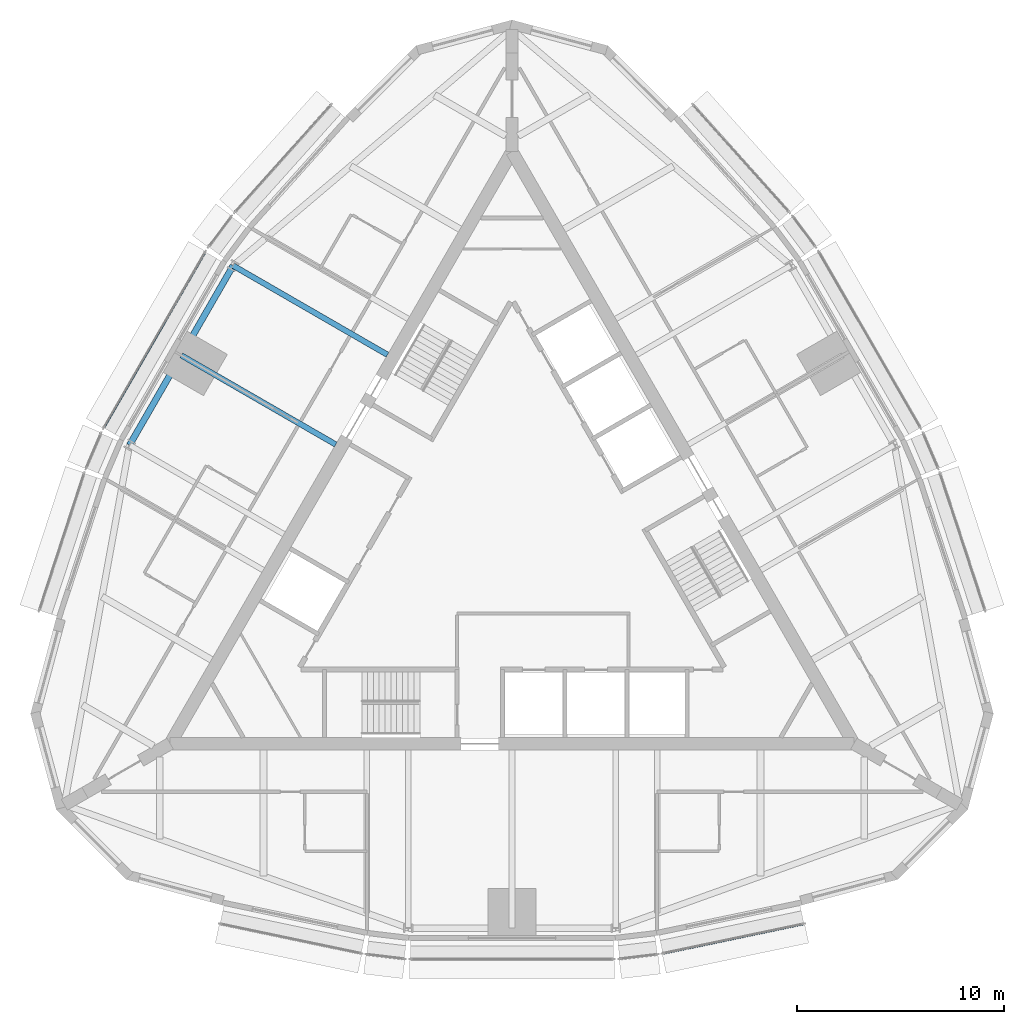
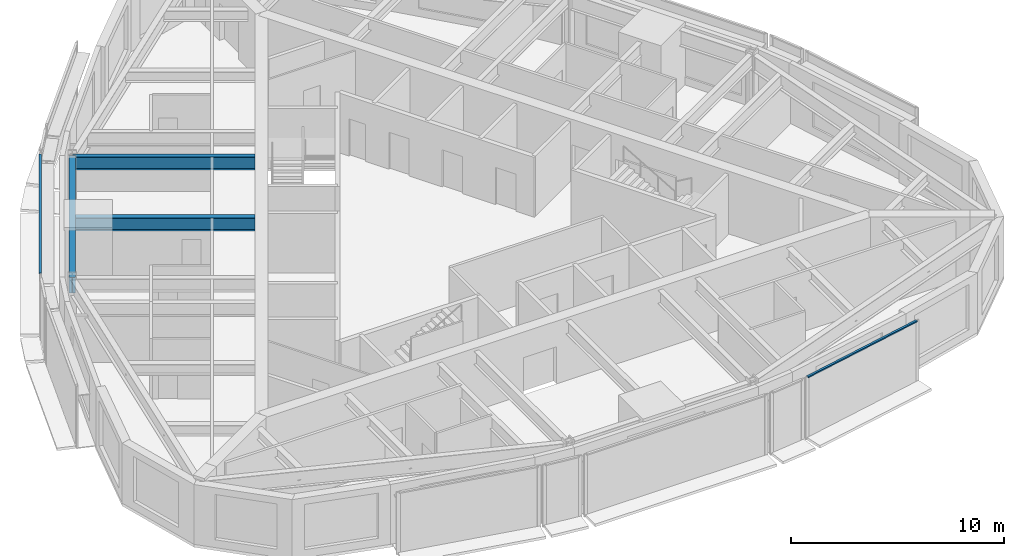
# One storey, part 3 of 12: 3 beams, 2 members, 2 elements without a shape of their own.
"""IFC4 building model written with IfcOpenShell, lengths in metres."""

from ifc_helpers import new_model, si_unit, direction, frame, origin, origin_2d, place, context, subcontext, project, spatial, rectangle, i_section, extrude, material, material_profile, profile_set, type_object, element, aggregate, save


model = new_model("IFC4")

# Units and contexts
model_context = context("Model", 3, precision=1e-05, world=origin(), true_north=direction((0.0, 1.0)))
body_context = subcontext(model_context, "Body", "Model", "MODEL_VIEW")
ifc_project = project(units=[si_unit("LENGTHUNIT", "METRE"), si_unit("AREAUNIT", "SQUARE_METRE"), si_unit("VOLUMEUNIT", "CUBIC_METRE"), si_unit("PLANEANGLEUNIT", "RADIAN"), si_unit("MASSUNIT", "GRAM", prefix="KILO")], contexts=[model_context])

# Site, building, storey
site_placement = place(None, origin())
site = spatial("IfcSite", under=ifc_project, at=site_placement, CompositionType="ELEMENT")
building_placement = place(site_placement, origin())
building = spatial("IfcBuilding", under=site, at=building_placement, Name="Trikona Tower", CompositionType="ELEMENT")
storey_placement = place(building_placement, frame((0.0, 0.0, 253.699951171875)))
storey = spatial("IfcBuildingStorey", under=building, at=storey_placement, Name="L67", CompositionType="ELEMENT", Elevation=253.699951171875)

# Beams
ifc_material_1 = material(Name="Steel ASTM A992 Grade 50", Category="steel")
ifc_material_profile_1 = material_profile(ifc_material_1, i_section(OverallWidth=0.2666015625, OverallDepth=0.7568359375, WebThickness=0.013916015625, FlangeThickness=0.019287109375, at=origin_2d()), Name="W30X108")
ifc_profile_set_1 = profile_set([ifc_material_profile_1], Name="Steel ASTM A992 Grade 50")
beam_type_1 = type_object("IfcBeamType", Name="Steel beam W30x108 (radial upper)", PredefinedType="BEAM", material=ifc_profile_set_1)
beam_1_placement = place(storey_placement, frame((-6.009765625, 9.243408203125, 3.056640625), z_axis=(-0.866029182723, 0.49999345463, 0.0), x_axis=(-0.49999345463, -0.866029182723, 0.0)))
element("IfcBeam", 1, at=beam_1_placement, inside=storey, type_object=beam_type_1, Name="Floor beam L68 F3 u-5", PredefinedType="BEAM", context=body_context, shape_type="SweptSolid", body=[
    extrude(i_section(OverallWidth=0.2666015625, OverallDepth=0.7568359375, WebThickness=0.013916015625, FlangeThickness=0.019287109375, at=origin_2d()), origin(), (0.0, 0.0, 1.0), 8.60400390625),
])
beam_2_placement = place(storey_placement, frame((-8.509765625, 4.9130859375, 3.056640625), z_axis=(-0.866016896067, 0.50001473551, 0.0), x_axis=(-0.50001473551, -0.866016896067, 0.0)))
element("IfcBeam", 2, at=beam_2_placement, inside=storey, type_object=beam_type_1, Name="Floor beam L68 F3 u0", PredefinedType="BEAM", context=body_context, shape_type="SweptSolid", body=[
    extrude(i_section(OverallWidth=0.2666015625, OverallDepth=0.7568359375, WebThickness=0.013916015625, FlangeThickness=0.019287109375, at=origin_2d()), origin(), (0.0, 0.0, 1.0), 8.604248046875),
])
ifc_material_2 = material(Name="Steel ASTM A992 Grade 50", Category="steel")
ifc_material_profile_2 = material_profile(ifc_material_2, i_section(OverallWidth=0.3046875, OverallDepth=0.911865234375, WebThickness=0.015869140625, FlangeThickness=0.02392578125, at=origin_2d()), Name="W36X150")
ifc_profile_set_2 = profile_set([ifc_material_profile_2], Name="Steel ASTM A992 Grade 50")
beam_type_2 = type_object("IfcBeamType", Name="Steel beam W36x150 (spandrel upper)", PredefinedType="SPANDREL", material=ifc_profile_set_2)
beam_3_placement = place(storey_placement, frame((-13.461181640625, 13.54541015625, 2.979248046875), z_axis=(-0.499993662806, -0.866029062534, 0.0), x_axis=(0.866029062534, -0.499993662806, 0.0)))
element("IfcBeam", 3, at=beam_3_placement, inside=storey, type_object=beam_type_2, Name="Spandrel beam L68 F3-2", PredefinedType="SPANDREL", context=body_context, shape_type="SweptSolid", body=[
    extrude(i_section(OverallWidth=0.3046875, OverallDepth=0.911865234375, WebThickness=0.015869140625, FlangeThickness=0.02392578125, at=origin_2d()), origin(), (0.0, 0.0, 1.0), 10.000244140625),
])

# Curtain wall, member
ifc_material_3 = material(Name="Aluminium curtain wall system", Category="aluminium")
curtain_wall_type = type_object("IfcCurtainWallType", Name="Curtain wall DS3", PredefinedType="NOTDEFINED", material=ifc_material_3)
curtain_wall_1_placement = place(storey_placement, origin())
curtain_wall_1 = element("IfcCurtainWall", 4, at=curtain_wall_1_placement, inside=storey, type_object=curtain_wall_type, Name="Curtain wall DS3 L67", PredefinedType="NOTDEFINED")
ifc_material_4 = material(Name="Aluminium transom, pale anodised", Category="aluminium")
ifc_material_profile_3 = material_profile(ifc_material_4, rectangle(XDim=0.1201171875, YDim=0.070068359375, at=origin_2d()), Name="TRN-DS3")
ifc_profile_set_3 = profile_set([ifc_material_profile_3], Name="Aluminium transom, pale anodised")
member_type = type_object("IfcMemberType", Name="Transom DS3 70x120", PredefinedType="USERDEFINED", material=ifc_profile_set_3)
member_1_placement = place(storey_placement, frame((7.312255859375, -19.64453125, 3.56494140625), z_axis=(0.978654137783, 0.205514181021, 0.0), x_axis=(-0.205514181021, 0.978654137783, 0.0)))
member_1 = element("IfcMember", 5, at=member_1_placement, type_object=member_type, Name="CW-DS3 transom 1.1", ObjectType="TRANSOM", PredefinedType="USERDEFINED", context=body_context, shape_type="SweptSolid", body=[
    extrude(rectangle(XDim=0.1201171875, YDim=0.070068359375, at=origin_2d()), origin(), (0.0, 0.0, 1.0), 6.892578125),
])
aggregate(curtain_wall_1, [member_1])

curtain_wall_2_placement = place(storey_placement, origin())
curtain_wall_2 = element("IfcCurtainWall", 6, at=curtain_wall_2_placement, inside=storey, type_object=curtain_wall_type, Name="Curtain wall DS3 L67", PredefinedType="NOTDEFINED")
member_2_placement = place(storey_placement, frame((-14.8251953125, 14.182861328125, 3.56494140625), z_axis=(-0.500010305712, -0.866019453697, 0.0), x_axis=(0.866019453697, -0.500010305712, 0.0)))
member_2 = element("IfcMember", 7, at=member_2_placement, type_object=member_type, Name="CW-DS3 transom 1.1", ObjectType="TRANSOM", PredefinedType="USERDEFINED", context=body_context, shape_type="SweptSolid", body=[
    extrude(rectangle(XDim=0.1201171875, YDim=0.070068359375, at=origin_2d()), origin(), (0.0, 0.0, 1.0), 9.739990234375),
])
aggregate(curtain_wall_2, [member_2])

save(model, "model.ifc")
